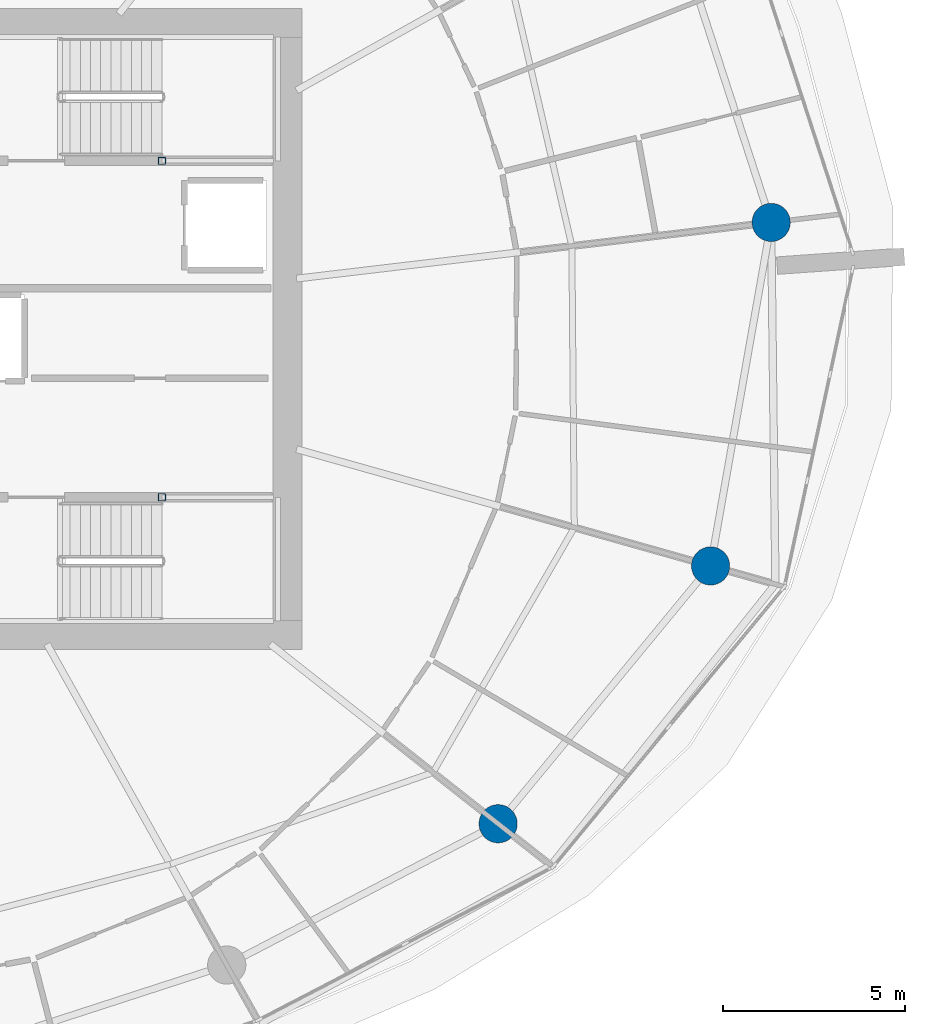
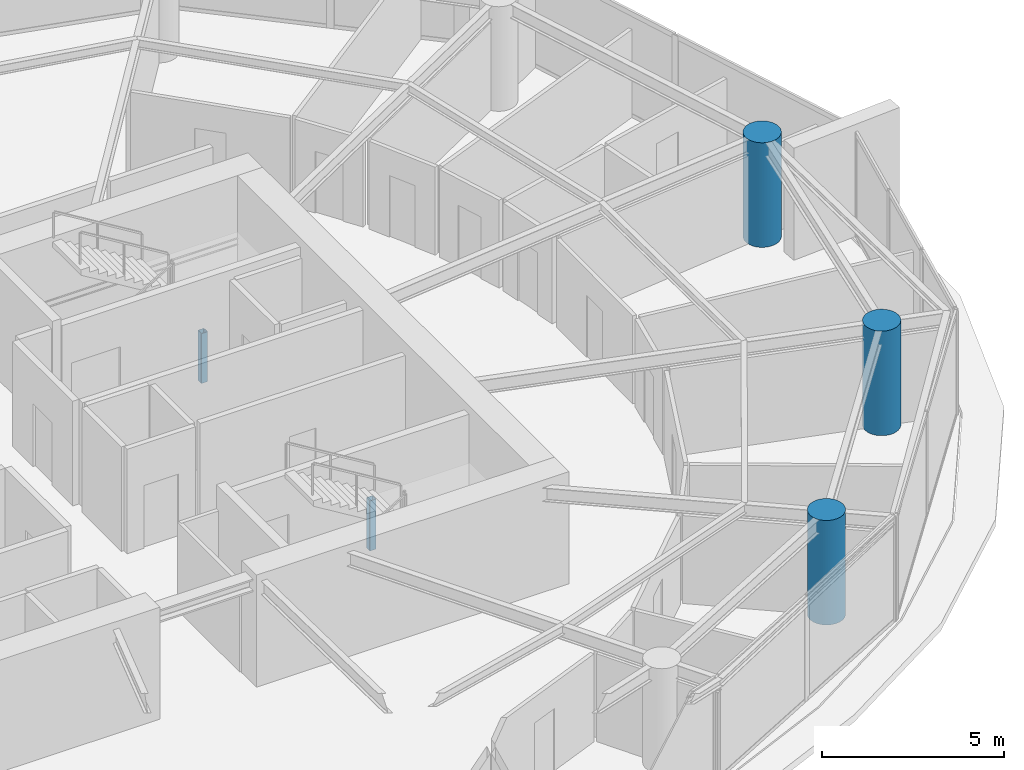
# One storey, part 3 of 17: 5 columns.
"""IFC4 building model written with IfcOpenShell, lengths in metres."""

from ifc_helpers import new_model, si_unit, direction, frame, origin, origin_2d, place, context, subcontext, project, spatial, hollow_rectangle, circle, extrude, material, material_profile, profile_set, type_object, element, save


model = new_model("IFC4")

# Units and contexts
model_context = context("Model", 3, precision=1e-05, world=origin(), true_north=direction((0.0, 1.0)))
body_context = subcontext(model_context, "Body", "Model", "MODEL_VIEW")
ifc_project = project(units=[si_unit("LENGTHUNIT", "METRE"), si_unit("AREAUNIT", "SQUARE_METRE"), si_unit("VOLUMEUNIT", "CUBIC_METRE"), si_unit("PLANEANGLEUNIT", "RADIAN"), si_unit("MASSUNIT", "GRAM", prefix="KILO")], contexts=[model_context])

# Site, building, storey
site_placement = place(None, origin())
site = spatial("IfcSite", under=ifc_project, at=site_placement, CompositionType="ELEMENT")
building_placement = place(site_placement, origin())
building = spatial("IfcBuilding", under=site, at=building_placement, Name="Kazma Halo Residences", CompositionType="ELEMENT")
storey_placement = place(building_placement, frame((0.0, 0.0, 127.800048828125)))
storey = spatial("IfcBuildingStorey", under=building, at=storey_placement, Name="L31", CompositionType="ELEMENT", Elevation=127.800048828125)

# Columns
ifc_material_1 = material(Name="Steel S355", Category="steel")
ifc_material_profile_1 = material_profile(ifc_material_1, hollow_rectangle(XDim=0.199951171875, YDim=0.199951171875, WallThickness=0.010009765625, InnerFilletRadius=0.010009765625, OuterFilletRadius=0.02001953125, at=origin_2d()), Name="SHS200x200x10")
ifc_profile_set_1 = profile_set([ifc_material_profile_1], Name="Steel S355")
column_type_1 = type_object("IfcColumnType", Name="COL-LP-SHS200", PredefinedType="COLUMN", material=ifc_profile_set_1)
for number, where, z_axis, x_axis, name in (
    (1, (56.0, 46.6201171875, 0.0), (0.0, 0.0, 1.0), (1.0, 0.0, 0.0), "L31 ST-02 landing pilaster 1"),
    (2, (56.0, 37.3798828125, 0.0), (0.0, 0.0, 1.0), (1.0, 0.0, 0.0), "L31 ST-03 landing pilaster 1"),
):
    element("IfcColumn", number, at=place(storey_placement, frame(where, z_axis=z_axis, x_axis=x_axis)), inside=storey, type_object=column_type_1, Name=name, PredefinedType="COLUMN", context=body_context, shape_type="SweptSolid", body=[
        extrude(hollow_rectangle(XDim=0.199951171875, YDim=0.199951171875, WallThickness=0.010009765625, InnerFilletRadius=0.010009765625, OuterFilletRadius=0.02001953125, at=origin_2d()), origin(), (0.0, 0.0, 1.0), 1.669921875),
    ])
ifc_material_2 = material(Name="Concrete C80/95", Category="concrete")
ifc_material_profile_2 = material_profile(ifc_material_2, circle(Radius=0.52490234375, at=origin_2d()), Name="CIRC1050")
ifc_profile_set_2 = profile_set([ifc_material_profile_2], Name="Concrete C80/95")
column_type_2 = type_object("IfcColumnType", Name="COL-PERIM-1050", PredefinedType="COLUMN", material=ifc_profile_set_2)
for number, where, z_axis, x_axis, name in (
    (3, (65.234375, 28.41357421875, 0.0), (0.0, 0.0, 1.0), (1.0, 0.0, 0.0), "L31 perimeter ring column P14"),
    (4, (71.06982421875, 35.49365234375, 0.0), (0.0, 0.0, 1.0), (1.0, 0.0, 0.0), "L31 perimeter ring column P15"),
    (5, (72.733154296875, 44.927490234375, 0.0), (0.0, 0.0, 1.0), (1.0, 0.0, 0.0), "L31 perimeter ring column P16"),
):
    element("IfcColumn", number, at=place(storey_placement, frame(where, z_axis=z_axis, x_axis=x_axis)), inside=storey, type_object=column_type_2, Name=name, PredefinedType="COLUMN", context=body_context, shape_type="SweptSolid", body=[
        extrude(circle(Radius=0.52490234375, at=origin_2d()), origin(), (0.0, 0.0, 1.0), 3.5),
    ])

save(model, "model.ifc")
